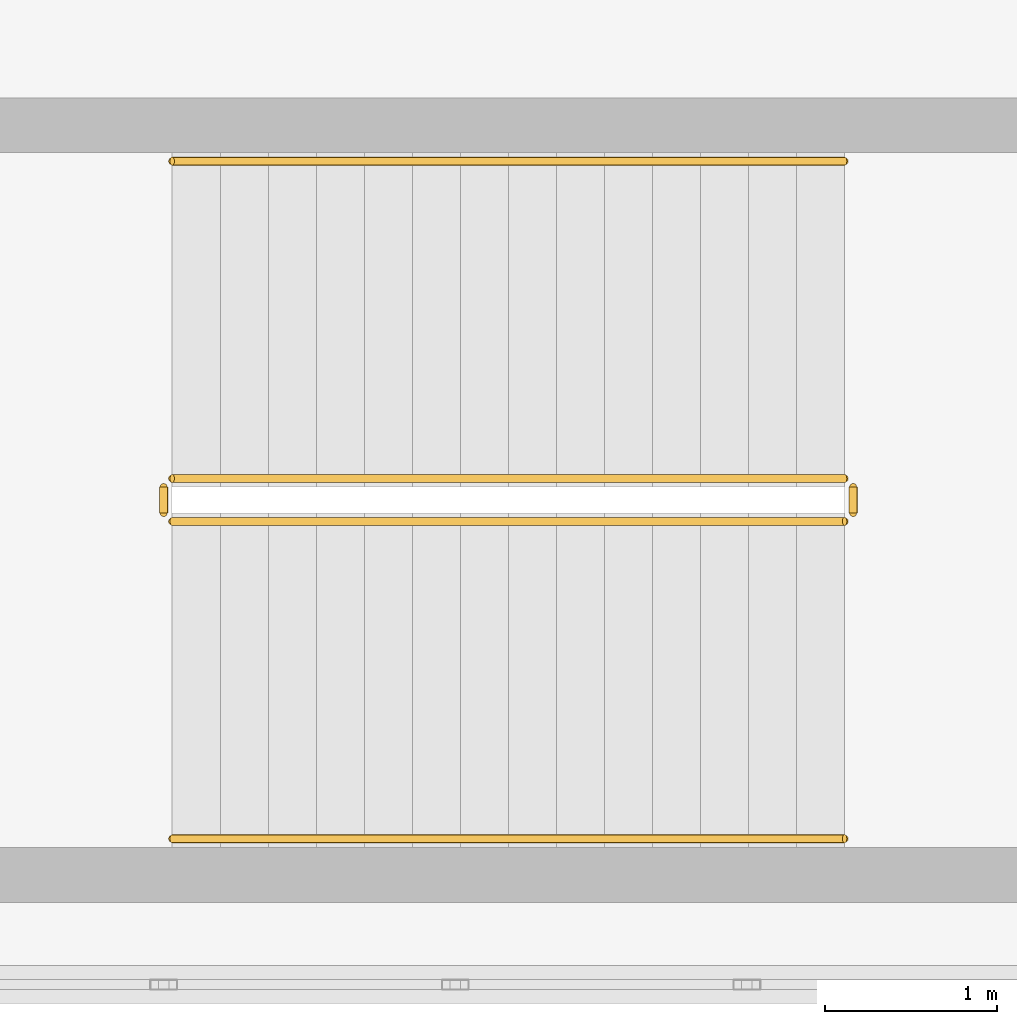
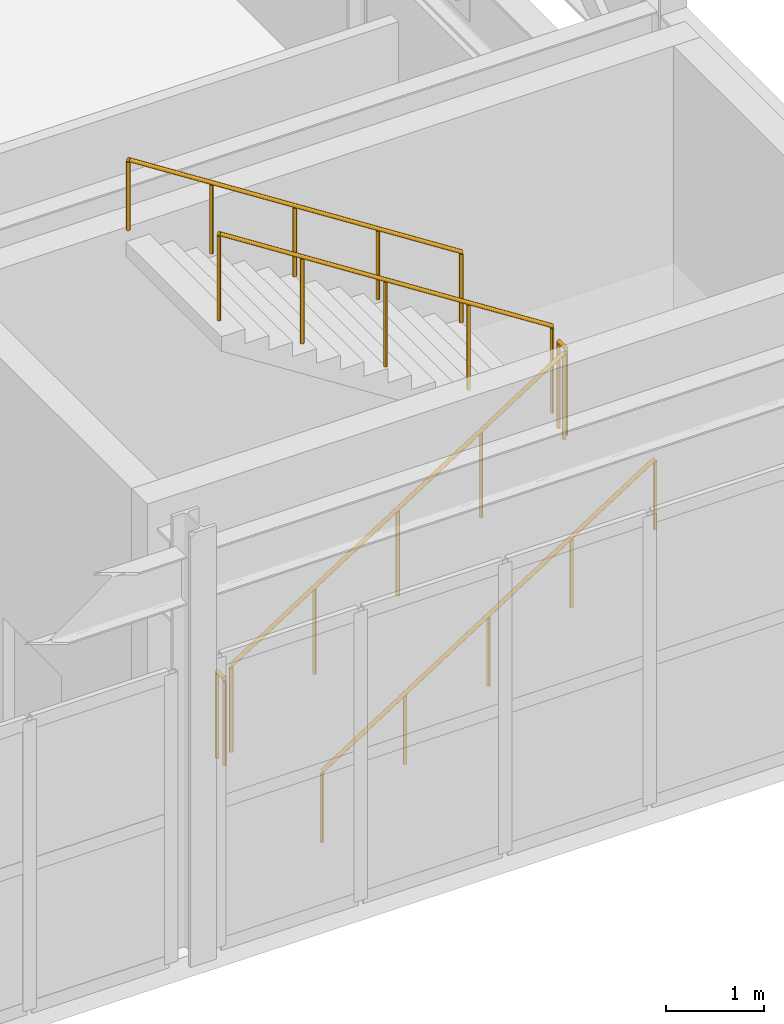
# One storey, part 176 of 210: 6 railings.
"""IFC4 building model written with IfcOpenShell, lengths in metres."""

from ifc_helpers import new_model, si_unit, direction, frame, origin, origin_2d, place, context, subcontext, project, spatial, circle, extrude, material, type_object, element, save


model = new_model("IFC4")

# Units and contexts
model_context = context("Model", 3, precision=1e-05, world=origin(), true_north=direction((0.0, 1.0)))
body_context = subcontext(model_context, "Body", "Model", "MODEL_VIEW")
ifc_project = project(units=[si_unit("LENGTHUNIT", "METRE"), si_unit("AREAUNIT", "SQUARE_METRE"), si_unit("VOLUMEUNIT", "CUBIC_METRE"), si_unit("PLANEANGLEUNIT", "RADIAN"), si_unit("MASSUNIT", "GRAM", prefix="KILO")], contexts=[model_context])

# Site, building, storey
site_placement = place(None, origin())
site = spatial("IfcSite", under=ifc_project, at=site_placement, CompositionType="ELEMENT")
building_placement = place(site_placement, origin())
building = spatial("IfcBuilding", under=site, at=building_placement, Name="Kaldris Quays Convention Centre", CompositionType="ELEMENT")
storey_placement = place(building_placement, frame((0.0, 0.0, 6.0)))
storey = spatial("IfcBuildingStorey", under=building, at=storey_placement, Name="L01", CompositionType="ELEMENT", Elevation=6.0)

# Railings
ifc_material_1 = material(Name="Steel S355J2", Category="steel")
railing_type_1 = type_object("IfcRailingType", Name="INTERIOR GUARDRAIL GR01", PredefinedType="GUARDRAIL", material=ifc_material_1)
railing_1_placement = place(storey_placement, frame((76.0, 18.699951171875, 0.179931640625)))
element("IfcRailing", 1, at=railing_1_placement, inside=storey, type_object=railing_type_1, Name="L01 ST06 Stair Guardrail 1", PredefinedType="GUARDRAIL", context=body_context, shape_type="SweptSolid", body=[
    extrude(circle(Radius=0.02392578125, at=origin_2d()), frame((0.0, 0.0, 1.076171875), z_axis=(0.841171666519, 0.0, 0.540768182723), x_axis=(0.0, 1.0, 0.0)), (0.0, 0.0, 1.0), 4.66015625),
    extrude(circle(Radius=0.02099609375, at=origin_2d()), origin(), (0.0, 0.0, 1.0), 1.052001953125),
    extrude(circle(Radius=0.02099609375, at=origin_2d()), frame((0.97998046875, 0.0, 0.6298828125)), (0.0, 0.0, 1.0), 1.052001953125),
    extrude(circle(Radius=0.02099609375, at=origin_2d()), frame((1.9599609375, 0.0, 1.260009765625)), (0.0, 0.0, 1.0), 1.052001953125),
    extrude(circle(Radius=0.02099609375, at=origin_2d()), frame((2.93994140625, 0.0, 1.89013671875)), (0.0, 0.0, 1.0), 1.052001953125),
    extrude(circle(Radius=0.02099609375, at=origin_2d()), frame((3.919921875, 0.0, 2.52001953125)), (0.0, 0.0, 1.0), 1.052001953125),
])
railing_2_placement = place(storey_placement, frame((79.969970703125, 18.75, 2.699951171875)))
element("IfcRailing", 2, at=railing_2_placement, inside=storey, type_object=railing_type_1, Name="L01 ST06 Stair Guardrail 2", PredefinedType="GUARDRAIL", context=body_context, shape_type="SweptSolid", body=[
    extrude(circle(Radius=0.02392578125, at=origin_2d()), frame((0.0, 0.0, 1.076171875), z_axis=(0.0, 1.0, 0.0), x_axis=(-1.0, 0.0, 0.0)), (0.0, 0.0, 1.0), 0.14990234375),
    extrude(circle(Radius=0.02099609375, at=origin_2d()), origin(), (0.0, 0.0, 1.0), 1.052001953125),
    extrude(circle(Radius=0.02099609375, at=origin_2d()), frame((0.0, 0.14990234375, 0.0)), (0.0, 0.0, 1.0), 1.052001953125),
])
railing_3_placement = place(storey_placement, frame((79.919921875, 18.949951171875, 2.8798828125)))
element("IfcRailing", 3, at=railing_3_placement, inside=storey, type_object=railing_type_1, Name="L01 ST06 Stair Guardrail 3", PredefinedType="GUARDRAIL", context=body_context, shape_type="SweptSolid", body=[
    extrude(circle(Radius=0.02392578125, at=origin_2d()), frame((0.0, 0.0, 1.076171875), z_axis=(-0.841171666519, 0.0, 0.540768182723), x_axis=(0.0, -1.0, 0.0)), (0.0, 0.0, 1.0), 4.66015625),
    extrude(circle(Radius=0.02099609375, at=origin_2d()), origin(), (0.0, 0.0, 1.0), 1.052001953125),
    extrude(circle(Radius=0.02099609375, at=origin_2d()), frame((-0.97998046875, 0.0, 0.6298828125)), (0.0, 0.0, 1.0), 1.052001953125),
    extrude(circle(Radius=0.02099609375, at=origin_2d()), frame((-1.9599609375, 0.0, 1.260009765625)), (0.0, 0.0, 1.0), 1.052001953125),
    extrude(circle(Radius=0.02099609375, at=origin_2d()), frame((-2.93994140625, 0.0, 1.89013671875)), (0.0, 0.0, 1.0), 1.052001953125),
    extrude(circle(Radius=0.02099609375, at=origin_2d()), frame((-3.919921875, 0.0, 2.52001953125)), (0.0, 0.0, 1.0), 1.052001953125),
])
railing_4_placement = place(storey_placement, frame((75.949951171875, 18.75, 0.0)))
element("IfcRailing", 4, at=railing_4_placement, inside=storey, type_object=railing_type_1, Name="L01 ST06 Stair Guardrail 4", PredefinedType="GUARDRAIL", context=body_context, shape_type="SweptSolid", body=[
    extrude(circle(Radius=0.02392578125, at=origin_2d()), frame((0.0, 0.0, 1.076171875), z_axis=(0.0, 1.0, 0.0), x_axis=(-1.0, 0.0, 0.0)), (0.0, 0.0, 1.0), 0.14990234375),
    extrude(circle(Radius=0.02099609375, at=origin_2d()), origin(), (0.0, 0.0, 1.0), 1.052001953125),
    extrude(circle(Radius=0.02099609375, at=origin_2d()), frame((0.0, 0.14990234375, 0.0)), (0.0, 0.0, 1.0), 1.052001953125),
])
ifc_material_2 = material(Name="Stainless steel 1.4301", Category="steel")
railing_type_2 = type_object("IfcRailingType", Name="STAIR HANDRAIL HR01", PredefinedType="HANDRAIL", material=ifc_material_2)
railing_5_placement = place(storey_placement, frame((76.0, 16.85009765625, 0.179931640625)))
element("IfcRailing", 5, at=railing_5_placement, inside=storey, type_object=railing_type_2, Name="L01 ST06 Flight Handrail 1", PredefinedType="HANDRAIL", context=body_context, shape_type="SweptSolid", body=[
    extrude(circle(Radius=0.02392578125, at=origin_2d()), frame((0.0, 0.0, 0.8759765625), z_axis=(0.841171666519, 0.0, 0.540768182723), x_axis=(0.0, 1.0, 0.0)), (0.0, 0.0, 1.0), 4.66015625),
    extrude(circle(Radius=0.02099609375, at=origin_2d()), origin(), (0.0, 0.0, 1.0), 0.851806640625),
    extrude(circle(Radius=0.02099609375, at=origin_2d()), frame((0.97998046875, 0.0, 0.6298828125)), (0.0, 0.0, 1.0), 0.851806640625),
    extrude(circle(Radius=0.02099609375, at=origin_2d()), frame((1.9599609375, 0.0, 1.260009765625)), (0.0, 0.0, 1.0), 0.851806640625),
    extrude(circle(Radius=0.02099609375, at=origin_2d()), frame((2.93994140625, 0.0, 1.89013671875)), (0.0, 0.0, 1.0), 0.851806640625),
    extrude(circle(Radius=0.02099609375, at=origin_2d()), frame((3.919921875, 0.0, 2.52001953125)), (0.0, 0.0, 1.0), 0.851806640625),
])
railing_6_placement = place(storey_placement, frame((79.919921875, 20.800048828125, 2.8798828125)))
element("IfcRailing", 6, at=railing_6_placement, inside=storey, type_object=railing_type_2, Name="L01 ST06 Flight Handrail 2", PredefinedType="HANDRAIL", context=body_context, shape_type="SweptSolid", body=[
    extrude(circle(Radius=0.02392578125, at=origin_2d()), frame((0.0, 0.0, 0.8759765625), z_axis=(-0.841171666519, 0.0, 0.540768182723), x_axis=(0.0, -1.0, 0.0)), (0.0, 0.0, 1.0), 4.66015625),
    extrude(circle(Radius=0.02099609375, at=origin_2d()), origin(), (0.0, 0.0, 1.0), 0.851806640625),
    extrude(circle(Radius=0.02099609375, at=origin_2d()), frame((-0.97998046875, 0.0, 0.6298828125)), (0.0, 0.0, 1.0), 0.851806640625),
    extrude(circle(Radius=0.02099609375, at=origin_2d()), frame((-1.9599609375, 0.0, 1.260009765625)), (0.0, 0.0, 1.0), 0.851806640625),
    extrude(circle(Radius=0.02099609375, at=origin_2d()), frame((-2.93994140625, 0.0, 1.89013671875)), (0.0, 0.0, 1.0), 0.851806640625),
    extrude(circle(Radius=0.02099609375, at=origin_2d()), frame((-3.919921875, 0.0, 2.52001953125)), (0.0, 0.0, 1.0), 0.851806640625),
])

save(model, "model.ifc")
